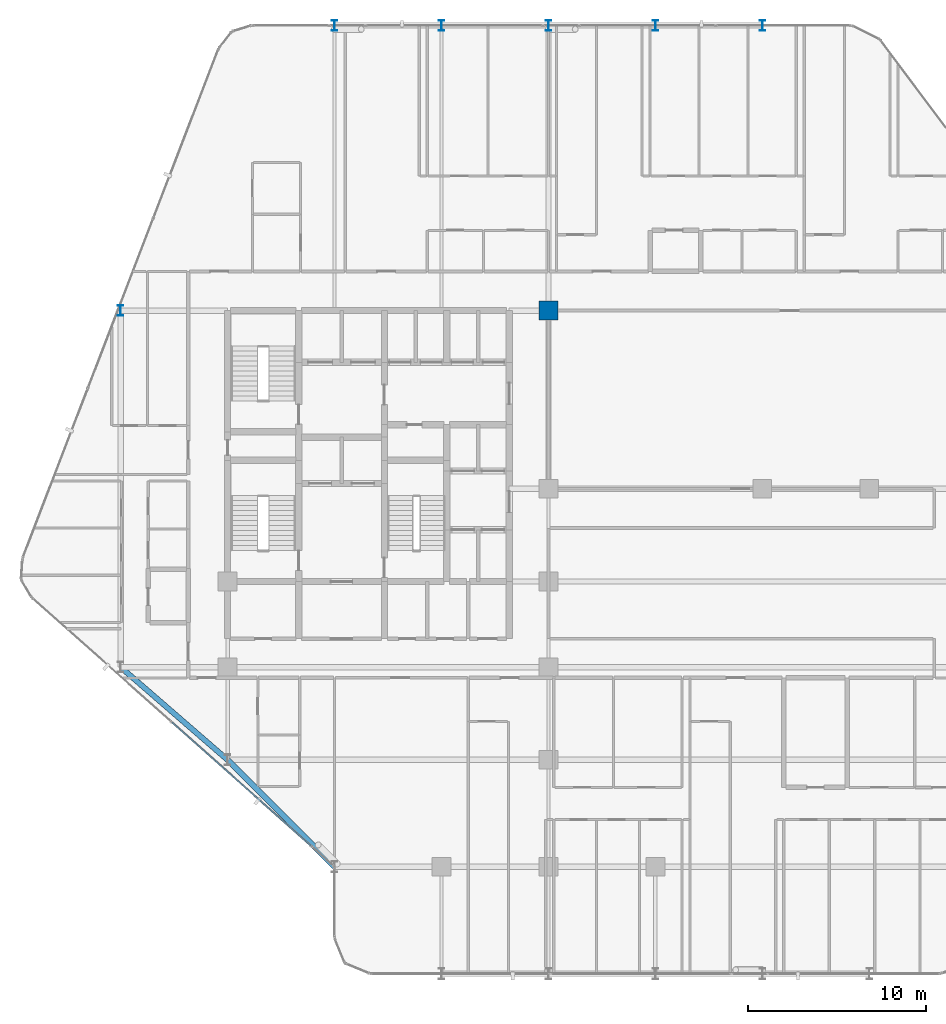
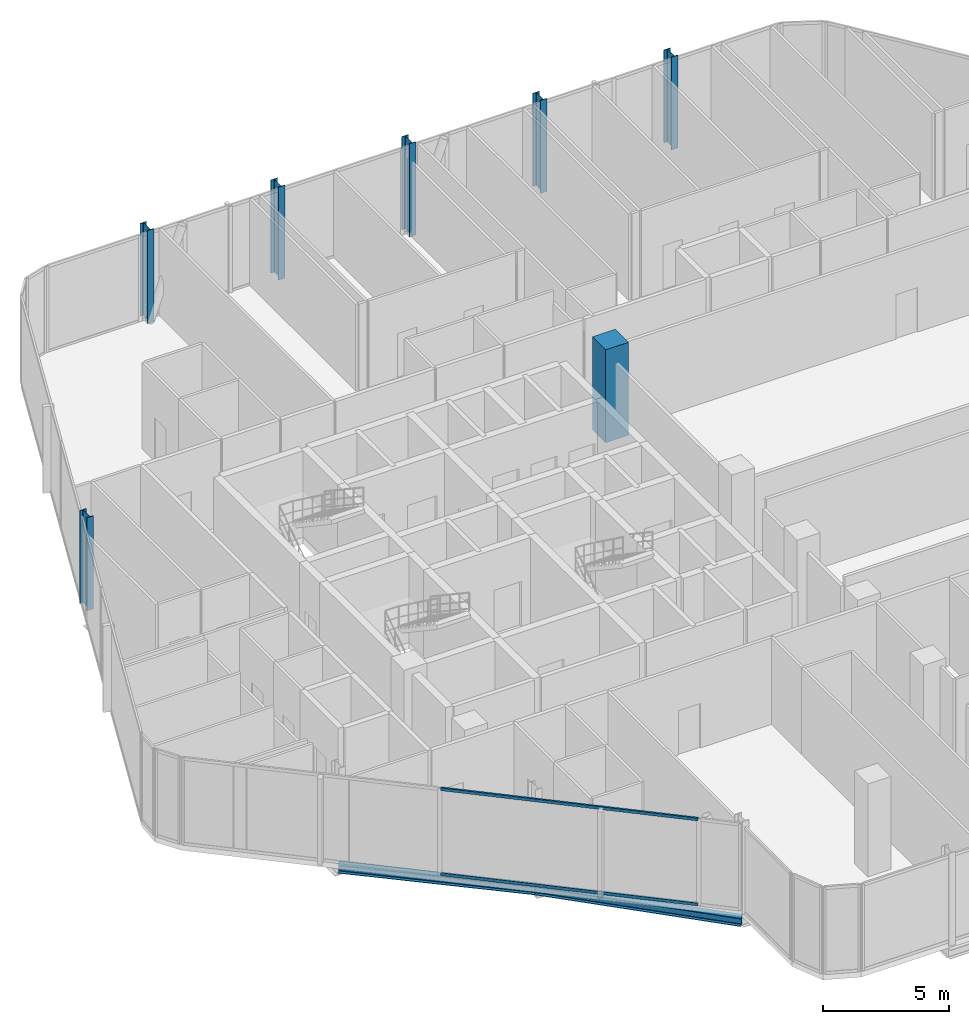
# One storey, part 2 of 30: 7 columns, 2 beams, 2 members, 1 element without a shape of its own.
"""IFC4 building model written with IfcOpenShell, lengths in metres."""

from ifc_helpers import new_model, si_unit, direction, frame, origin, origin_2d, place, context, subcontext, project, spatial, rectangle, hollow_rectangle, i_section, extrude, material, layer, layer_set, material_profile, profile_set, type_object, element, aggregate, save


model = new_model("IFC4")

# Units and contexts
model_context = context("Model", 3, precision=1e-05, world=origin(), true_north=direction((0.0, 1.0)))
body_context = subcontext(model_context, "Body", "Model", "MODEL_VIEW")
ifc_project = project(units=[si_unit("LENGTHUNIT", "METRE"), si_unit("AREAUNIT", "SQUARE_METRE"), si_unit("VOLUMEUNIT", "CUBIC_METRE"), si_unit("PLANEANGLEUNIT", "RADIAN"), si_unit("MASSUNIT", "GRAM", prefix="KILO")], contexts=[model_context])

# Site, building, storey
site_placement = place(None, origin())
site = spatial("IfcSite", under=ifc_project, at=site_placement, CompositionType="ELEMENT")
building_placement = place(site_placement, origin())
building = spatial("IfcBuilding", under=site, at=building_placement, Name="Keshet Zoharim Tower", CompositionType="ELEMENT")
storey_placement = place(building_placement, frame((0.0, 0.0, 86.39990234375)))
storey = spatial("IfcBuildingStorey", under=building, at=storey_placement, Name="L20", CompositionType="ELEMENT", Elevation=86.39990234375)

# Columns
ifc_material_1 = material(Name="Steel S355", Category="steel")
ifc_material_profile_1 = material_profile(ifc_material_1, i_section(OverallWidth=0.300048828125, OverallDepth=0.60009765625, WebThickness=0.015380859375, FlangeThickness=0.030029296875, FilletRadius=0.027099609375, at=origin_2d()), Name="HEB600")
ifc_profile_set_1 = profile_set([ifc_material_profile_1], Name="Steel S355")
column_type_1 = type_object("IfcColumnType", Name="COL-HEB600", PredefinedType="COLUMN", material=ifc_profile_set_1)
for number, where, z_axis, x_axis, name in (
    (1, (9.0, 37.89990234375, 0.0), (0.0, 0.0, 1.0), (1.0, 0.0, 0.0), "L20 Column 2H"),
    (2, (21.0, 53.89990234375, 0.0), (0.0, 0.0, 1.0), (1.0, 0.0, 0.0), "L20 Column 4L"),
    (3, (27.0, 53.89990234375, 0.0), (0.0, 0.0, 1.0), (1.0, 0.0, 0.0), "L20 Column 5L"),
    (4, (33.0, 53.89990234375, 0.0), (0.0, 0.0, 1.0), (1.0, 0.0, 0.0), "L20 Column 6L"),
    (5, (39.0, 53.89990234375, 0.0), (0.0, 0.0, 1.0), (1.0, 0.0, 0.0), "L20 Column 7L"),
    (6, (45.0, 53.89990234375, 0.0), (0.0, 0.0, 1.0), (1.0, 0.0, 0.0), "L20 Column 8L"),
):
    element("IfcColumn", number, at=place(storey_placement, frame(where, z_axis=z_axis, x_axis=x_axis)), inside=storey, type_object=column_type_1, Name=name, PredefinedType="COLUMN", context=body_context, shape_type="SweptSolid", body=[
        extrude(i_section(OverallWidth=0.300048828125, OverallDepth=0.60009765625, WebThickness=0.015380859375, FlangeThickness=0.030029296875, FilletRadius=0.027099609375, at=origin_2d()), origin(), (0.0, 0.0, 1.0), 4.5),
    ])
ifc_material_2 = material(Name="Concrete C60/75", Category="concrete")
ifc_material_profile_2 = material_profile(ifc_material_2, rectangle(XDim=1.050048828125, YDim=1.050048828125, at=origin_2d()), Name="RC1050x1050")
ifc_profile_set_2 = profile_set([ifc_material_profile_2], Name="Concrete C60/75")
column_type_2 = type_object("IfcColumnType", Name="COL-RC1050", PredefinedType="COLUMN", material=ifc_profile_set_2)
column_placement = place(storey_placement, frame((33.0, 37.89990234375, 0.0), z_axis=(0.0, 0.0, 1.0), x_axis=(1.0, 0.0, 0.0)))
element("IfcColumn", 7, at=column_placement, inside=storey, type_object=column_type_2, Name="L20 Column 6H", PredefinedType="COLUMN", context=body_context, shape_type="SweptSolid", body=[
    extrude(rectangle(XDim=1.050048828125, YDim=1.050048828125, at=origin_2d()), origin(), (0.0, 0.0, 1.0), 4.5),
])

# Beams
ifc_material_profile_3 = material_profile(ifc_material_1, i_section(OverallWidth=0.300048828125, OverallDepth=0.39990234375, WebThickness=0.013427734375, FlangeThickness=0.02392578125, FilletRadius=0.027099609375, at=origin_2d()), Name="HEB400")
ifc_profile_set_3 = profile_set([ifc_material_profile_3], Name="Steel S355")
beam_type = type_object("IfcBeamType", Name="BM-SPN-HB400", PredefinedType="SPANDREL", material=ifc_profile_set_3)
beam_1_placement = place(storey_placement, frame((21.0, 6.699951171875, -0.514892578125), z_axis=(-0.707106781187, 0.707106781187, 0.0), x_axis=(-0.707106781187, -0.707106781187, 0.0)))
element("IfcBeam", 8, at=beam_1_placement, inside=storey, type_object=beam_type, Name="L20 Perimeter Spandrel Beam 01", PredefinedType="SPANDREL", context=body_context, shape_type="SweptSolid", body=[
    extrude(i_section(OverallWidth=0.300048828125, OverallDepth=0.39990234375, WebThickness=0.013427734375, FlangeThickness=0.02392578125, FilletRadius=0.027099609375, at=origin_2d()), origin(), (0.0, 0.0, 1.0), 8.4853515625),
])
beam_2_placement = place(storey_placement, frame((9.0, 17.89990234375, -0.514892578125), z_axis=(0.755692126483, -0.654927026447, 0.0), x_axis=(0.654927026447, 0.755692126483, 0.0)))
element("IfcBeam", 9, at=beam_2_placement, inside=storey, type_object=beam_type, Name="L20 Perimeter Spandrel Beam 02", PredefinedType="SPANDREL", context=body_context, shape_type="SweptSolid", body=[
    extrude(i_section(OverallWidth=0.300048828125, OverallDepth=0.39990234375, WebThickness=0.013427734375, FlangeThickness=0.02392578125, FilletRadius=0.027099609375, at=origin_2d()), origin(), (0.0, 0.0, 1.0), 7.939697265625),
])

# Curtain wall, members
ifc_material_3 = material(Name="Aluminium 6063-T6", Category="aluminium")
ifc_layer = layer(ifc_material_3, 0.159912109375)
ifc_layer_set = layer_set([ifc_layer], Name="Aluminium 6063-T6")
curtain_wall_type = type_object("IfcCurtainWallType", Name="CW-SYS-03", PredefinedType="NOTDEFINED", material=ifc_layer_set)
curtain_wall_placement = place(storey_placement, origin())
curtain_wall = element("IfcCurtainWall", 10, at=curtain_wall_placement, inside=storey, type_object=curtain_wall_type, Name="L20 Unitised Curtain Wall 07 Part 2", PredefinedType="NOTDEFINED")
ifc_material_profile_4 = material_profile(ifc_material_3, hollow_rectangle(XDim=0.080078125, YDim=0.139892578125, WallThickness=0.00390625, at=origin_2d()), Name="TRN-80x140")
ifc_profile_set_4 = profile_set([ifc_material_profile_4], Name="Aluminium 6063-T6")
member_type = type_object("IfcMemberType", Name="CWT-T14", PredefinedType="USERDEFINED", material=ifc_profile_set_4)
member_1_placement = place(storey_placement, frame((19.6806640625, 7.872802734375, 0.03515625), z_axis=(-0.747417066271, 0.664355122692, 0.0), x_axis=(-0.664355122692, -0.747417066271, 0.0)))
member_1 = element("IfcMember", 11, at=member_1_placement, type_object=member_type, Name="CW-03 transom 1.1", ObjectType="TRANSOM", PredefinedType="USERDEFINED", context=body_context, shape_type="SweptSolid", body=[
    extrude(hollow_rectangle(XDim=0.080078125, YDim=0.139892578125, WallThickness=0.00390625, at=origin_2d()), origin(), (0.0, 0.0, 1.0), 10.431396484375),
])
member_2_placement = place(storey_placement, frame((19.6806640625, 7.872802734375, 4.150146484375), z_axis=(-0.747417066271, 0.664355122692, 0.0), x_axis=(-0.664355122692, -0.747417066271, 0.0)))
member_2 = element("IfcMember", 12, at=member_2_placement, type_object=member_type, Name="CW-03 transom 1.2", ObjectType="TRANSOM", PredefinedType="USERDEFINED", context=body_context, shape_type="SweptSolid", body=[
    extrude(hollow_rectangle(XDim=0.080078125, YDim=0.139892578125, WallThickness=0.00390625, at=origin_2d()), origin(), (0.0, 0.0, 1.0), 10.431396484375),
])
aggregate(curtain_wall, [member_1, member_2])

save(model, "model.ifc")
